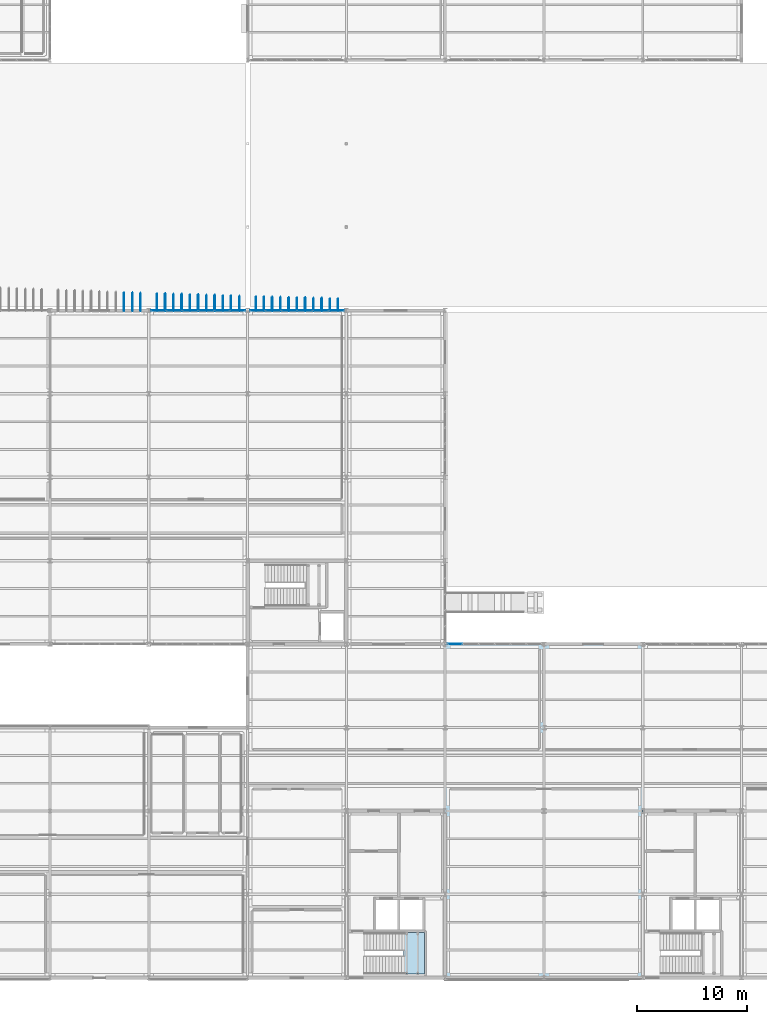
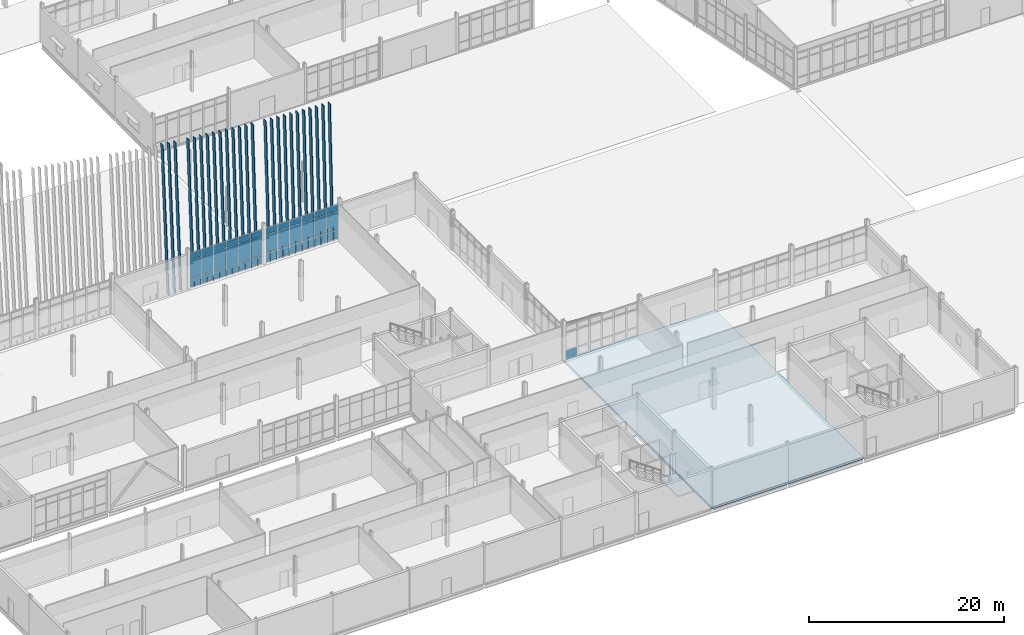
# One storey, part 124 of 161: 62 plates, 2 slabs, 4 elements without a shape of their own.
"""IFC4 building model written with IfcOpenShell, lengths in metres."""

from ifc_helpers import new_model, si_unit, direction, frame, origin, origin_2d, place, context, subcontext, project, spatial, polyline, rectangle, outline, extrude, material, layer, layer_set, type_object, element, aggregate, save


model = new_model("IFC4")

# Units and contexts
model_context = context("Model", 3, precision=1e-05, world=origin(), true_north=direction((0.0, 1.0)))
body_context = subcontext(model_context, "Body", "Model", "MODEL_VIEW")
ifc_project = project(units=[si_unit("LENGTHUNIT", "METRE"), si_unit("AREAUNIT", "SQUARE_METRE"), si_unit("VOLUMEUNIT", "CUBIC_METRE"), si_unit("PLANEANGLEUNIT", "RADIAN"), si_unit("MASSUNIT", "GRAM", prefix="KILO")], contexts=[model_context])

# Site, building, storey
site_placement = place(None, origin())
site = spatial("IfcSite", under=ifc_project, at=site_placement, CompositionType="ELEMENT")
building_placement = place(site_placement, origin())
building = spatial("IfcBuilding", under=site, at=building_placement, Name="Caisbarro Railhouse Central Library", CompositionType="ELEMENT")
storey_placement = place(building_placement, origin())
storey = spatial("IfcBuildingStorey", under=building, at=storey_placement, Name="L00", CompositionType="ELEMENT", Elevation=0.0)

# Curtain wall, plates
ifc_material_1 = material(Name="Anodised architectural aluminium", Category="aluminium")
curtain_wall_type_1 = type_object("IfcCurtainWallType", Name="CW-CW01", PredefinedType="NOTDEFINED", material=ifc_material_1)
curtain_wall_1_placement = place(storey_placement, origin())
curtain_wall_1 = element("IfcCurtainWall", 1, at=curtain_wall_1_placement, inside=storey, type_object=curtain_wall_type_1, Name="CW01 curtain wall L00 #17", PredefinedType="NOTDEFINED")
ifc_material_2 = material(Name="Double low-e laminated solar-control glass", Category="glass")
ifc_layer_1 = layer(ifc_material_2, 0.01806640625, Name="Double low-e laminated solar-control glass")
ifc_layer_set_1 = layer_set([ifc_layer_1], Name="Double low-e laminated solar-control glass")
plate_type_1 = type_object("IfcPlateType", Name="CWP-CP18", PredefinedType="CURTAIN_PANEL", material=ifc_layer_set_1)
plate_1_placement = place(storey_placement, frame((54.902099609375, 60.800048828125, 0.0751953125), z_axis=(0.0, 0.0, 1.0), x_axis=(1.0, 0.0, 0.0)))
plate_1 = element("IfcPlate", 2, at=plate_1_placement, type_object=plate_type_1, Name="CW01 panel 1.1", PredefinedType="CURTAIN_PANEL", context=body_context, shape_type="SweptSolid", body=[
    extrude(rectangle(XDim=1.334228515625, YDim=0.01806640625, at=origin_2d()), origin(), (0.0, 0.0, 1.0), 1.007568359375),
])
plate_2_placement = place(storey_placement, frame((54.902099609375, 60.800048828125, 1.15771484375), z_axis=(0.0, 0.0, 1.0), x_axis=(1.0, 0.0, 0.0)))
plate_2 = element("IfcPlate", 3, at=plate_2_placement, type_object=plate_type_1, Name="CW01 panel 1.2", PredefinedType="CURTAIN_PANEL", context=body_context, shape_type="SweptSolid", body=[
    extrude(rectangle(XDim=1.334228515625, YDim=0.01806640625, at=origin_2d()), origin(), (0.0, 0.0, 1.0), 2.304931640625),
])
plate_3_placement = place(storey_placement, frame((54.902099609375, 60.800048828125, 3.53759765625), z_axis=(0.0, 0.0, 1.0), x_axis=(1.0, 0.0, 0.0)))
plate_3 = element("IfcPlate", 4, at=plate_3_placement, type_object=plate_type_1, Name="CW01 panel 1.3", PredefinedType="CURTAIN_PANEL", context=body_context, shape_type="SweptSolid", body=[
    extrude(rectangle(XDim=1.334228515625, YDim=0.01806640625, at=origin_2d()), origin(), (0.0, 0.0, 1.0), 0.737548828125),
])
plate_4_placement = place(storey_placement, frame((56.330078125, 60.800048828125, 0.0751953125), z_axis=(0.0, 0.0, 1.0), x_axis=(1.0, 0.0, 0.0)))
plate_4 = element("IfcPlate", 5, at=plate_4_placement, type_object=plate_type_1, Name="CW01 panel 2.1", PredefinedType="CURTAIN_PANEL", context=body_context, shape_type="SweptSolid", body=[
    extrude(rectangle(XDim=1.37158203125, YDim=0.01806640625, at=origin_2d()), origin(), (0.0, 0.0, 1.0), 1.007568359375),
])
plate_5_placement = place(storey_placement, frame((56.330078125, 60.800048828125, 1.15771484375), z_axis=(0.0, 0.0, 1.0), x_axis=(1.0, 0.0, 0.0)))
plate_5 = element("IfcPlate", 6, at=plate_5_placement, type_object=plate_type_1, Name="CW01 panel 2.2", PredefinedType="CURTAIN_PANEL", context=body_context, shape_type="SweptSolid", body=[
    extrude(rectangle(XDim=1.37158203125, YDim=0.01806640625, at=origin_2d()), origin(), (0.0, 0.0, 1.0), 2.304931640625),
])
plate_6_placement = place(storey_placement, frame((56.330078125, 60.800048828125, 3.53759765625), z_axis=(0.0, 0.0, 1.0), x_axis=(1.0, 0.0, 0.0)))
plate_6 = element("IfcPlate", 7, at=plate_6_placement, type_object=plate_type_1, Name="CW01 panel 2.3", PredefinedType="CURTAIN_PANEL", context=body_context, shape_type="SweptSolid", body=[
    extrude(rectangle(XDim=1.37158203125, YDim=0.01806640625, at=origin_2d()), origin(), (0.0, 0.0, 1.0), 0.737548828125),
])
plate_7_placement = place(storey_placement, frame((57.776611328125, 60.800048828125, 0.0751953125), z_axis=(0.0, 0.0, 1.0), x_axis=(1.0, 0.0, 0.0)))
plate_7 = element("IfcPlate", 8, at=plate_7_placement, type_object=plate_type_1, Name="CW01 panel 3.1", PredefinedType="CURTAIN_PANEL", context=body_context, shape_type="SweptSolid", body=[
    extrude(rectangle(XDim=1.37158203125, YDim=0.01806640625, at=origin_2d()), origin(), (0.0, 0.0, 1.0), 1.007568359375),
])
plate_8_placement = place(storey_placement, frame((57.776611328125, 60.800048828125, 1.15771484375), z_axis=(0.0, 0.0, 1.0), x_axis=(1.0, 0.0, 0.0)))
plate_8 = element("IfcPlate", 9, at=plate_8_placement, type_object=plate_type_1, Name="CW01 panel 3.2", PredefinedType="CURTAIN_PANEL", context=body_context, shape_type="SweptSolid", body=[
    extrude(rectangle(XDim=1.37158203125, YDim=0.01806640625, at=origin_2d()), origin(), (0.0, 0.0, 1.0), 2.304931640625),
])
plate_9_placement = place(storey_placement, frame((57.776611328125, 60.800048828125, 3.53759765625), z_axis=(0.0, 0.0, 1.0), x_axis=(1.0, 0.0, 0.0)))
plate_9 = element("IfcPlate", 10, at=plate_9_placement, type_object=plate_type_1, Name="CW01 panel 3.3", PredefinedType="CURTAIN_PANEL", context=body_context, shape_type="SweptSolid", body=[
    extrude(rectangle(XDim=1.37158203125, YDim=0.01806640625, at=origin_2d()), origin(), (0.0, 0.0, 1.0), 0.737548828125),
])
plate_10_placement = place(storey_placement, frame((59.223388671875, 60.800048828125, 0.0751953125), z_axis=(0.0, 0.0, 1.0), x_axis=(1.0, 0.0, 0.0)))
plate_10 = element("IfcPlate", 11, at=plate_10_placement, type_object=plate_type_1, Name="CW01 panel 4.1", PredefinedType="CURTAIN_PANEL", context=body_context, shape_type="SweptSolid", body=[
    extrude(rectangle(XDim=1.37158203125, YDim=0.01806640625, at=origin_2d()), origin(), (0.0, 0.0, 1.0), 1.007568359375),
])
plate_11_placement = place(storey_placement, frame((59.223388671875, 60.800048828125, 1.15771484375), z_axis=(0.0, 0.0, 1.0), x_axis=(1.0, 0.0, 0.0)))
plate_11 = element("IfcPlate", 12, at=plate_11_placement, type_object=plate_type_1, Name="CW01 panel 4.2", PredefinedType="CURTAIN_PANEL", context=body_context, shape_type="SweptSolid", body=[
    extrude(rectangle(XDim=1.37158203125, YDim=0.01806640625, at=origin_2d()), origin(), (0.0, 0.0, 1.0), 2.304931640625),
])
plate_12_placement = place(storey_placement, frame((59.223388671875, 60.800048828125, 3.53759765625), z_axis=(0.0, 0.0, 1.0), x_axis=(1.0, 0.0, 0.0)))
plate_12 = element("IfcPlate", 13, at=plate_12_placement, type_object=plate_type_1, Name="CW01 panel 4.3", PredefinedType="CURTAIN_PANEL", context=body_context, shape_type="SweptSolid", body=[
    extrude(rectangle(XDim=1.37158203125, YDim=0.01806640625, at=origin_2d()), origin(), (0.0, 0.0, 1.0), 0.737548828125),
])
plate_13_placement = place(storey_placement, frame((60.669921875, 60.800048828125, 0.0751953125), z_axis=(0.0, 0.0, 1.0), x_axis=(1.0, 0.0, 0.0)))
plate_13 = element("IfcPlate", 14, at=plate_13_placement, type_object=plate_type_1, Name="CW01 panel 5.1", PredefinedType="CURTAIN_PANEL", context=body_context, shape_type="SweptSolid", body=[
    extrude(rectangle(XDim=1.37158203125, YDim=0.01806640625, at=origin_2d()), origin(), (0.0, 0.0, 1.0), 1.007568359375),
])
plate_14_placement = place(storey_placement, frame((60.669921875, 60.800048828125, 1.15771484375), z_axis=(0.0, 0.0, 1.0), x_axis=(1.0, 0.0, 0.0)))
plate_14 = element("IfcPlate", 15, at=plate_14_placement, type_object=plate_type_1, Name="CW01 panel 5.2", PredefinedType="CURTAIN_PANEL", context=body_context, shape_type="SweptSolid", body=[
    extrude(rectangle(XDim=1.37158203125, YDim=0.01806640625, at=origin_2d()), origin(), (0.0, 0.0, 1.0), 2.304931640625),
])
plate_15_placement = place(storey_placement, frame((60.669921875, 60.800048828125, 3.53759765625), z_axis=(0.0, 0.0, 1.0), x_axis=(1.0, 0.0, 0.0)))
plate_15 = element("IfcPlate", 16, at=plate_15_placement, type_object=plate_type_1, Name="CW01 panel 5.3", PredefinedType="CURTAIN_PANEL", context=body_context, shape_type="SweptSolid", body=[
    extrude(rectangle(XDim=1.37158203125, YDim=0.01806640625, at=origin_2d()), origin(), (0.0, 0.0, 1.0), 0.737548828125),
])
plate_16_placement = place(storey_placement, frame((62.097900390625, 60.800048828125, 0.0751953125), z_axis=(0.0, 0.0, 1.0), x_axis=(1.0, 0.0, 0.0)))
plate_16 = element("IfcPlate", 17, at=plate_16_placement, type_object=plate_type_1, Name="CW01 panel 6.1", PredefinedType="CURTAIN_PANEL", context=body_context, shape_type="SweptSolid", body=[
    extrude(rectangle(XDim=1.334228515625, YDim=0.01806640625, at=origin_2d()), origin(), (0.0, 0.0, 1.0), 1.007568359375),
])
plate_17_placement = place(storey_placement, frame((62.097900390625, 60.800048828125, 1.15771484375), z_axis=(0.0, 0.0, 1.0), x_axis=(1.0, 0.0, 0.0)))
plate_17 = element("IfcPlate", 18, at=plate_17_placement, type_object=plate_type_1, Name="CW01 panel 6.2", PredefinedType="CURTAIN_PANEL", context=body_context, shape_type="SweptSolid", body=[
    extrude(rectangle(XDim=1.334228515625, YDim=0.01806640625, at=origin_2d()), origin(), (0.0, 0.0, 1.0), 2.304931640625),
])
plate_18_placement = place(storey_placement, frame((62.097900390625, 60.800048828125, 3.53759765625), z_axis=(0.0, 0.0, 1.0), x_axis=(1.0, 0.0, 0.0)))
plate_18 = element("IfcPlate", 19, at=plate_18_placement, type_object=plate_type_1, Name="CW01 panel 6.3", PredefinedType="CURTAIN_PANEL", context=body_context, shape_type="SweptSolid", body=[
    extrude(rectangle(XDim=1.334228515625, YDim=0.01806640625, at=origin_2d()), origin(), (0.0, 0.0, 1.0), 0.737548828125),
])
aggregate(curtain_wall_1, [plate_1, plate_2, plate_3, plate_4, plate_5, plate_6, plate_7, plate_8, plate_9, plate_10, plate_11, plate_12, plate_13, plate_14, plate_15, plate_16, plate_17, plate_18])

# Curtain wall, plate
curtain_wall_type_2 = type_object("IfcCurtainWallType", Name="CW-CW02", PredefinedType="NOTDEFINED", material=ifc_material_1)
curtain_wall_2_placement = place(storey_placement, origin())
curtain_wall_2 = element("IfcCurtainWall", 20, at=curtain_wall_2_placement, inside=storey, type_object=curtain_wall_type_2, Name="CW02 curtain wall L00 #51", PredefinedType="NOTDEFINED")
ifc_layer_2 = layer(ifc_material_2, 0.0380859375, Name="Double low-e laminated solar-control glass")
ifc_layer_set_2 = layer_set([ifc_layer_2], Name="Double low-e laminated solar-control glass")
plate_type_2 = type_object("IfcPlateType", Name="CWP-CP38", PredefinedType="CURTAIN_PANEL", material=ifc_layer_set_2)
plate_19_placement = place(storey_placement, frame((72.902099609375, 30.39990234375, 0.0751953125), z_axis=(0.0, 0.0, 1.0), x_axis=(1.0, 0.0, 0.0)))
plate_19 = element("IfcPlate", 21, at=plate_19_placement, type_object=plate_type_2, Name="CW02 panel 1.1", PredefinedType="CURTAIN_PANEL", context=body_context, shape_type="SweptSolid", body=[
    extrude(rectangle(XDim=1.334228515625, YDim=0.0380859375, at=origin_2d()), origin(), (0.0, 0.0, 1.0), 1.007568359375),
])
aggregate(curtain_wall_2, [plate_19])

# Curtain wall, plates
curtain_wall_3_placement = place(storey_placement, origin())
curtain_wall_3 = element("IfcCurtainWall", 22, at=curtain_wall_3_placement, inside=storey, type_object=curtain_wall_type_1, Name="CW01 curtain wall L00 #14", PredefinedType="NOTDEFINED")
ifc_layer_3 = layer(ifc_material_2, 0.068115234375, Name="Double low-e laminated solar-control glass")
ifc_layer_set_3 = layer_set([ifc_layer_3], Name="Double low-e laminated solar-control glass")
plate_type_3 = type_object("IfcPlateType", Name="CWP-CP68", PredefinedType="CURTAIN_PANEL", material=ifc_layer_set_3)
plate_20_placement = place(storey_placement, frame((45.902099609375, 60.800048828125, 0.0751953125), z_axis=(0.0, 0.0, 1.0), x_axis=(1.0, 0.0, 0.0)))
plate_20 = element("IfcPlate", 23, at=plate_20_placement, type_object=plate_type_3, Name="CW01 panel 1.1", PredefinedType="CURTAIN_PANEL", context=body_context, shape_type="SweptSolid", body=[
    extrude(rectangle(XDim=1.334228515625, YDim=0.068115234375, at=origin_2d()), origin(), (0.0, 0.0, 1.0), 1.007568359375),
])
plate_21_placement = place(storey_placement, frame((45.902099609375, 60.800048828125, 1.15771484375), z_axis=(0.0, 0.0, 1.0), x_axis=(1.0, 0.0, 0.0)))
plate_21 = element("IfcPlate", 24, at=plate_21_placement, type_object=plate_type_3, Name="CW01 panel 1.2", PredefinedType="CURTAIN_PANEL", context=body_context, shape_type="SweptSolid", body=[
    extrude(rectangle(XDim=1.334228515625, YDim=0.068115234375, at=origin_2d()), origin(), (0.0, 0.0, 1.0), 2.304931640625),
])
plate_22_placement = place(storey_placement, frame((45.902099609375, 60.800048828125, 3.53759765625), z_axis=(0.0, 0.0, 1.0), x_axis=(1.0, 0.0, 0.0)))
plate_22 = element("IfcPlate", 25, at=plate_22_placement, type_object=plate_type_3, Name="CW01 panel 1.3", PredefinedType="CURTAIN_PANEL", context=body_context, shape_type="SweptSolid", body=[
    extrude(rectangle(XDim=1.334228515625, YDim=0.068115234375, at=origin_2d()), origin(), (0.0, 0.0, 1.0), 0.737548828125),
])
plate_23_placement = place(storey_placement, frame((47.330078125, 60.800048828125, 0.0751953125), z_axis=(0.0, 0.0, 1.0), x_axis=(1.0, 0.0, 0.0)))
plate_23 = element("IfcPlate", 26, at=plate_23_placement, type_object=plate_type_3, Name="CW01 panel 2.1", PredefinedType="CURTAIN_PANEL", context=body_context, shape_type="SweptSolid", body=[
    extrude(rectangle(XDim=1.37158203125, YDim=0.068115234375, at=origin_2d()), origin(), (0.0, 0.0, 1.0), 1.007568359375),
])
plate_24_placement = place(storey_placement, frame((47.330078125, 60.800048828125, 1.15771484375), z_axis=(0.0, 0.0, 1.0), x_axis=(1.0, 0.0, 0.0)))
plate_24 = element("IfcPlate", 27, at=plate_24_placement, type_object=plate_type_3, Name="CW01 panel 2.2", PredefinedType="CURTAIN_PANEL", context=body_context, shape_type="SweptSolid", body=[
    extrude(rectangle(XDim=1.37158203125, YDim=0.068115234375, at=origin_2d()), origin(), (0.0, 0.0, 1.0), 2.304931640625),
])
plate_25_placement = place(storey_placement, frame((47.330078125, 60.800048828125, 3.53759765625), z_axis=(0.0, 0.0, 1.0), x_axis=(1.0, 0.0, 0.0)))
plate_25 = element("IfcPlate", 28, at=plate_25_placement, type_object=plate_type_3, Name="CW01 panel 2.3", PredefinedType="CURTAIN_PANEL", context=body_context, shape_type="SweptSolid", body=[
    extrude(rectangle(XDim=1.37158203125, YDim=0.068115234375, at=origin_2d()), origin(), (0.0, 0.0, 1.0), 0.737548828125),
])
plate_26_placement = place(storey_placement, frame((48.776611328125, 60.800048828125, 0.0751953125), z_axis=(0.0, 0.0, 1.0), x_axis=(1.0, 0.0, 0.0)))
plate_26 = element("IfcPlate", 29, at=plate_26_placement, type_object=plate_type_3, Name="CW01 panel 3.1", PredefinedType="CURTAIN_PANEL", context=body_context, shape_type="SweptSolid", body=[
    extrude(rectangle(XDim=1.37158203125, YDim=0.068115234375, at=origin_2d()), origin(), (0.0, 0.0, 1.0), 1.007568359375),
])
plate_27_placement = place(storey_placement, frame((48.776611328125, 60.800048828125, 1.15771484375), z_axis=(0.0, 0.0, 1.0), x_axis=(1.0, 0.0, 0.0)))
plate_27 = element("IfcPlate", 30, at=plate_27_placement, type_object=plate_type_3, Name="CW01 panel 3.2", PredefinedType="CURTAIN_PANEL", context=body_context, shape_type="SweptSolid", body=[
    extrude(rectangle(XDim=1.37158203125, YDim=0.068115234375, at=origin_2d()), origin(), (0.0, 0.0, 1.0), 2.304931640625),
])
plate_28_placement = place(storey_placement, frame((48.776611328125, 60.800048828125, 3.53759765625), z_axis=(0.0, 0.0, 1.0), x_axis=(1.0, 0.0, 0.0)))
plate_28 = element("IfcPlate", 31, at=plate_28_placement, type_object=plate_type_3, Name="CW01 panel 3.3", PredefinedType="CURTAIN_PANEL", context=body_context, shape_type="SweptSolid", body=[
    extrude(rectangle(XDim=1.37158203125, YDim=0.068115234375, at=origin_2d()), origin(), (0.0, 0.0, 1.0), 0.737548828125),
])
plate_29_placement = place(storey_placement, frame((50.223388671875, 60.800048828125, 0.0751953125), z_axis=(0.0, 0.0, 1.0), x_axis=(1.0, 0.0, 0.0)))
plate_29 = element("IfcPlate", 32, at=plate_29_placement, type_object=plate_type_3, Name="CW01 panel 4.1", PredefinedType="CURTAIN_PANEL", context=body_context, shape_type="SweptSolid", body=[
    extrude(rectangle(XDim=1.37158203125, YDim=0.068115234375, at=origin_2d()), origin(), (0.0, 0.0, 1.0), 1.007568359375),
])
plate_30_placement = place(storey_placement, frame((50.223388671875, 60.800048828125, 1.15771484375), z_axis=(0.0, 0.0, 1.0), x_axis=(1.0, 0.0, 0.0)))
plate_30 = element("IfcPlate", 33, at=plate_30_placement, type_object=plate_type_3, Name="CW01 panel 4.2", PredefinedType="CURTAIN_PANEL", context=body_context, shape_type="SweptSolid", body=[
    extrude(rectangle(XDim=1.37158203125, YDim=0.068115234375, at=origin_2d()), origin(), (0.0, 0.0, 1.0), 2.304931640625),
])
plate_31_placement = place(storey_placement, frame((50.223388671875, 60.800048828125, 3.53759765625), z_axis=(0.0, 0.0, 1.0), x_axis=(1.0, 0.0, 0.0)))
plate_31 = element("IfcPlate", 34, at=plate_31_placement, type_object=plate_type_3, Name="CW01 panel 4.3", PredefinedType="CURTAIN_PANEL", context=body_context, shape_type="SweptSolid", body=[
    extrude(rectangle(XDim=1.37158203125, YDim=0.068115234375, at=origin_2d()), origin(), (0.0, 0.0, 1.0), 0.737548828125),
])
plate_32_placement = place(storey_placement, frame((51.669921875, 60.800048828125, 0.0751953125), z_axis=(0.0, 0.0, 1.0), x_axis=(1.0, 0.0, 0.0)))
plate_32 = element("IfcPlate", 35, at=plate_32_placement, type_object=plate_type_3, Name="CW01 panel 5.1", PredefinedType="CURTAIN_PANEL", context=body_context, shape_type="SweptSolid", body=[
    extrude(rectangle(XDim=1.37158203125, YDim=0.068115234375, at=origin_2d()), origin(), (0.0, 0.0, 1.0), 1.007568359375),
])
plate_33_placement = place(storey_placement, frame((51.669921875, 60.800048828125, 1.15771484375), z_axis=(0.0, 0.0, 1.0), x_axis=(1.0, 0.0, 0.0)))
plate_33 = element("IfcPlate", 36, at=plate_33_placement, type_object=plate_type_3, Name="CW01 panel 5.2", PredefinedType="CURTAIN_PANEL", context=body_context, shape_type="SweptSolid", body=[
    extrude(rectangle(XDim=1.37158203125, YDim=0.068115234375, at=origin_2d()), origin(), (0.0, 0.0, 1.0), 2.304931640625),
])
plate_34_placement = place(storey_placement, frame((51.669921875, 60.800048828125, 3.53759765625), z_axis=(0.0, 0.0, 1.0), x_axis=(1.0, 0.0, 0.0)))
plate_34 = element("IfcPlate", 37, at=plate_34_placement, type_object=plate_type_3, Name="CW01 panel 5.3", PredefinedType="CURTAIN_PANEL", context=body_context, shape_type="SweptSolid", body=[
    extrude(rectangle(XDim=1.37158203125, YDim=0.068115234375, at=origin_2d()), origin(), (0.0, 0.0, 1.0), 0.737548828125),
])
plate_35_placement = place(storey_placement, frame((53.097900390625, 60.800048828125, 0.0751953125), z_axis=(0.0, 0.0, 1.0), x_axis=(1.0, 0.0, 0.0)))
plate_35 = element("IfcPlate", 38, at=plate_35_placement, type_object=plate_type_3, Name="CW01 panel 6.1", PredefinedType="CURTAIN_PANEL", context=body_context, shape_type="SweptSolid", body=[
    extrude(rectangle(XDim=1.334228515625, YDim=0.068115234375, at=origin_2d()), origin(), (0.0, 0.0, 1.0), 1.007568359375),
])
plate_36_placement = place(storey_placement, frame((53.097900390625, 60.800048828125, 1.15771484375), z_axis=(0.0, 0.0, 1.0), x_axis=(1.0, 0.0, 0.0)))
plate_36 = element("IfcPlate", 39, at=plate_36_placement, type_object=plate_type_3, Name="CW01 panel 6.2", PredefinedType="CURTAIN_PANEL", context=body_context, shape_type="SweptSolid", body=[
    extrude(rectangle(XDim=1.334228515625, YDim=0.068115234375, at=origin_2d()), origin(), (0.0, 0.0, 1.0), 2.304931640625),
])
plate_37_placement = place(storey_placement, frame((53.097900390625, 60.800048828125, 3.53759765625), z_axis=(0.0, 0.0, 1.0), x_axis=(1.0, 0.0, 0.0)))
plate_37 = element("IfcPlate", 40, at=plate_37_placement, type_object=plate_type_3, Name="CW01 panel 6.3", PredefinedType="CURTAIN_PANEL", context=body_context, shape_type="SweptSolid", body=[
    extrude(rectangle(XDim=1.334228515625, YDim=0.068115234375, at=origin_2d()), origin(), (0.0, 0.0, 1.0), 0.737548828125),
])
aggregate(curtain_wall_3, [plate_20, plate_21, plate_22, plate_23, plate_24, plate_25, plate_26, plate_27, plate_28, plate_29, plate_30, plate_31, plate_32, plate_33, plate_34, plate_35, plate_36, plate_37])

# Plates
ifc_material_3 = material(Name="White powder-coated aluminium", Category="aluminium")
ifc_layer_4 = layer(ifc_material_3, 0.06005859375, Name="White powder-coated aluminium")
ifc_layer_set_4 = layer_set([ifc_layer_4], Name="White powder-coated aluminium")
plate_type_4 = type_object("IfcPlateType", Name="PLT-FIN01", PredefinedType="USERDEFINED", material=ifc_layer_set_4)
plate_38_placement = place(storey_placement, frame((42.75, 60.97998046875, -0.080078125), z_axis=(0.0, 0.068015290665, 0.997684278836), x_axis=(1.0, 0.0, 0.0)))
element("IfcPlate", 41, at=plate_38_placement, inside=storey, type_object=plate_type_4, Name="FN01 Outward-Leaning White Fin 53", ObjectType="SOLAR FIN", PredefinedType="USERDEFINED", context=body_context, shape_type="SweptSolid", body=[
    extrude(rectangle(XDim=0.06005859375, YDim=0.52001953125, at=origin_2d()), origin(), (0.0, 0.0, 1.0), 18.14404296875),
])
plate_39_placement = place(storey_placement, frame((43.5, 60.97998046875, -0.079833984375), z_axis=(0.0, 0.066970481029, 0.997754957227), x_axis=(1.0, 0.0, 0.0)))
element("IfcPlate", 42, at=plate_39_placement, inside=storey, type_object=plate_type_4, Name="FN01 Outward-Leaning White Fin 54", ObjectType="SOLAR FIN", PredefinedType="USERDEFINED", context=body_context, shape_type="SweptSolid", body=[
    extrude(rectangle(XDim=0.06005859375, YDim=0.52001953125, at=origin_2d()), origin(), (0.0, 0.0, 1.0), 18.066162109375),
])
plate_40_placement = place(storey_placement, frame((44.25, 60.97998046875, -0.079833984375), z_axis=(0.0, 0.065925597951, 0.997824541457), x_axis=(1.0, 0.0, 0.0)))
element("IfcPlate", 43, at=plate_40_placement, inside=storey, type_object=plate_type_4, Name="FN01 Outward-Leaning White Fin 55", ObjectType="SOLAR FIN", PredefinedType="USERDEFINED", context=body_context, shape_type="SweptSolid", body=[
    extrude(rectangle(XDim=0.06005859375, YDim=0.52001953125, at=origin_2d()), origin(), (0.0, 0.0, 1.0), 17.988525390625),
])
plate_41_placement = place(storey_placement, frame((45.75, 60.97998046875, -0.080078125), z_axis=(0.0, 0.063661438132, 0.99797155335), x_axis=(1.0, 0.0, 0.0)))
element("IfcPlate", 44, at=plate_41_placement, inside=storey, type_object=plate_type_4, Name="FN01 Outward-Leaning White Fin 56", ObjectType="SOLAR FIN", PredefinedType="USERDEFINED", context=body_context, shape_type="SweptSolid", body=[
    extrude(rectangle(XDim=0.06005859375, YDim=0.52001953125, at=origin_2d()), origin(), (0.0, 0.0, 1.0), 17.845703125),
])
plate_42_placement = place(storey_placement, frame((46.5, 60.97998046875, -0.080078125), z_axis=(0.0, 0.06261633005, 0.99803767224), x_axis=(1.0, 0.0, 0.0)))
element("IfcPlate", 45, at=plate_42_placement, inside=storey, type_object=plate_type_4, Name="FN01 Outward-Leaning White Fin 57", ObjectType="SOLAR FIN", PredefinedType="USERDEFINED", context=body_context, shape_type="SweptSolid", body=[
    extrude(rectangle(XDim=0.06005859375, YDim=0.52001953125, at=origin_2d()), origin(), (0.0, 0.0, 1.0), 17.7802734375),
])
plate_43_placement = place(storey_placement, frame((47.25, 60.97998046875, -0.080078125), z_axis=(0.0, 0.061571153301, 0.998102696661), x_axis=(1.0, 0.0, 0.0)))
element("IfcPlate", 46, at=plate_43_placement, inside=storey, type_object=plate_type_4, Name="FN01 Outward-Leaning White Fin 58", ObjectType="SOLAR FIN", PredefinedType="USERDEFINED", context=body_context, shape_type="SweptSolid", body=[
    extrude(rectangle(XDim=0.06005859375, YDim=0.52001953125, at=origin_2d()), origin(), (0.0, 0.0, 1.0), 17.71484375),
])
plate_44_placement = place(storey_placement, frame((48.0, 60.97998046875, -0.079833984375), z_axis=(0.0, 0.06035169517, 0.9981771751), x_axis=(1.0, 0.0, 0.0)))
element("IfcPlate", 47, at=plate_44_placement, inside=storey, type_object=plate_type_4, Name="FN01 Outward-Leaning White Fin 59", ObjectType="SOLAR FIN", PredefinedType="USERDEFINED", context=body_context, shape_type="SweptSolid", body=[
    extrude(rectangle(XDim=0.06005859375, YDim=0.52001953125, at=origin_2d()), origin(), (0.0, 0.0, 1.0), 17.64990234375),
])
plate_45_placement = place(storey_placement, frame((48.75, 60.97998046875, -0.080078125), z_axis=(0.0, 0.059306373576, 0.998239827924), x_axis=(1.0, 0.0, 0.0)))
element("IfcPlate", 48, at=plate_45_placement, inside=storey, type_object=plate_type_4, Name="FN01 Outward-Leaning White Fin 60", ObjectType="SOLAR FIN", PredefinedType="USERDEFINED", context=body_context, shape_type="SweptSolid", body=[
    extrude(rectangle(XDim=0.06005859375, YDim=0.52001953125, at=origin_2d()), origin(), (0.0, 0.0, 1.0), 17.58447265625),
])
plate_46_placement = place(storey_placement, frame((49.5, 60.97998046875, -0.080078125), z_axis=(0.0, 0.058260986945, 0.998301386055), x_axis=(1.0, 0.0, 0.0)))
element("IfcPlate", 49, at=plate_46_placement, inside=storey, type_object=plate_type_4, Name="FN01 Outward-Leaning White Fin 61", ObjectType="SOLAR FIN", PredefinedType="USERDEFINED", context=body_context, shape_type="SweptSolid", body=[
    extrude(rectangle(XDim=0.06005859375, YDim=0.52001953125, at=origin_2d()), origin(), (0.0, 0.0, 1.0), 17.51904296875),
])
plate_47_placement = place(storey_placement, frame((50.25, 60.97998046875, -0.080078125), z_axis=(0.0, 0.05704128854, 0.998371820216), x_axis=(1.0, 0.0, 0.0)))
element("IfcPlate", 50, at=plate_47_placement, inside=storey, type_object=plate_type_4, Name="FN01 Outward-Leaning White Fin 62", ObjectType="SOLAR FIN", PredefinedType="USERDEFINED", context=body_context, shape_type="SweptSolid", body=[
    extrude(rectangle(XDim=0.06005859375, YDim=0.52001953125, at=origin_2d()), origin(), (0.0, 0.0, 1.0), 17.46630859375),
])
plate_48_placement = place(storey_placement, frame((51.0, 60.97998046875, -0.080078125), z_axis=(0.0, 0.055995764929, 0.998431006284), x_axis=(1.0, 0.0, 0.0)))
element("IfcPlate", 51, at=plate_48_placement, inside=storey, type_object=plate_type_4, Name="FN01 Outward-Leaning White Fin 63", ObjectType="SOLAR FIN", PredefinedType="USERDEFINED", context=body_context, shape_type="SweptSolid", body=[
    extrude(rectangle(XDim=0.06005859375, YDim=0.52001953125, at=origin_2d()), origin(), (0.0, 0.0, 1.0), 17.413330078125),
])
plate_49_placement = place(storey_placement, frame((51.75, 60.97998046875, -0.079833984375), z_axis=(0.0, 0.054950179912, 0.998489097451), x_axis=(1.0, 0.0, 0.0)))
element("IfcPlate", 52, at=plate_49_placement, inside=storey, type_object=plate_type_4, Name="FN01 Outward-Leaning White Fin 64", ObjectType="SOLAR FIN", PredefinedType="USERDEFINED", context=body_context, shape_type="SweptSolid", body=[
    extrude(rectangle(XDim=0.06005859375, YDim=0.52001953125, at=origin_2d()), origin(), (0.0, 0.0, 1.0), 17.3603515625),
])
plate_50_placement = place(storey_placement, frame((52.5, 60.97998046875, -0.080078125), z_axis=(0.0, 0.053730254645, 0.998555486558), x_axis=(1.0, 0.0, 0.0)))
element("IfcPlate", 53, at=plate_50_placement, inside=storey, type_object=plate_type_4, Name="FN01 Outward-Leaning White Fin 65", ObjectType="SOLAR FIN", PredefinedType="USERDEFINED", context=body_context, shape_type="SweptSolid", body=[
    extrude(rectangle(XDim=0.06005859375, YDim=0.52001953125, at=origin_2d()), origin(), (0.0, 0.0, 1.0), 17.307861328125),
])
plate_51_placement = place(storey_placement, frame((53.25, 60.97998046875, -0.080078125), z_axis=(0.0, 0.052684540515, 0.99861120522), x_axis=(1.0, 0.0, 0.0)))
element("IfcPlate", 54, at=plate_51_placement, inside=storey, type_object=plate_type_4, Name="FN01 Outward-Leaning White Fin 66", ObjectType="SOLAR FIN", PredefinedType="USERDEFINED", context=body_context, shape_type="SweptSolid", body=[
    extrude(rectangle(XDim=0.06005859375, YDim=0.52001953125, at=origin_2d()), origin(), (0.0, 0.0, 1.0), 17.2548828125),
])
plate_52_placement = place(storey_placement, frame((54.75, 60.97998046875, -0.079833984375), z_axis=(0.0, 0.050418629896, 0.998728172107), x_axis=(1.0, 0.0, 0.0)))
element("IfcPlate", 55, at=plate_52_placement, inside=storey, type_object=plate_type_4, Name="FN01 Outward-Leaning White Fin 67", ObjectType="SOLAR FIN", PredefinedType="USERDEFINED", context=body_context, shape_type="SweptSolid", body=[
    extrude(rectangle(XDim=0.06005859375, YDim=0.52001953125, at=origin_2d()), origin(), (0.0, 0.0, 1.0), 17.16162109375),
])
plate_53_placement = place(storey_placement, frame((55.5, 60.97998046875, -0.080078125), z_axis=(0.0, 0.049372736746, 0.998780422749), x_axis=(1.0, 0.0, 0.0)))
element("IfcPlate", 56, at=plate_53_placement, inside=storey, type_object=plate_type_4, Name="FN01 Outward-Leaning White Fin 68", ObjectType="SOLAR FIN", PredefinedType="USERDEFINED", context=body_context, shape_type="SweptSolid", body=[
    extrude(rectangle(XDim=0.06005859375, YDim=0.52001953125, at=origin_2d()), origin(), (0.0, 0.0, 1.0), 17.120849609375),
])
plate_54_placement = place(storey_placement, frame((56.25, 60.97998046875, -0.080078125), z_axis=(0.0, 0.048326789453, 0.998831578106), x_axis=(1.0, 0.0, 0.0)))
element("IfcPlate", 57, at=plate_54_placement, inside=storey, type_object=plate_type_4, Name="FN01 Outward-Leaning White Fin 69", ObjectType="SOLAR FIN", PredefinedType="USERDEFINED", context=body_context, shape_type="SweptSolid", body=[
    extrude(rectangle(XDim=0.06005859375, YDim=0.52001953125, at=origin_2d()), origin(), (0.0, 0.0, 1.0), 17.080322265625),
])
plate_55_placement = place(storey_placement, frame((57.0, 60.97998046875, -0.080078125), z_axis=(0.0, 0.04710645071, 0.998889874962), x_axis=(1.0, 0.0, 0.0)))
element("IfcPlate", 58, at=plate_55_placement, inside=storey, type_object=plate_type_4, Name="FN01 Outward-Leaning White Fin 70", ObjectType="SOLAR FIN", PredefinedType="USERDEFINED", context=body_context, shape_type="SweptSolid", body=[
    extrude(rectangle(XDim=0.06005859375, YDim=0.52001953125, at=origin_2d()), origin(), (0.0, 0.0, 1.0), 17.040283203125),
])
plate_56_placement = place(storey_placement, frame((57.75, 60.97998046875, -0.079833984375), z_axis=(0.0, 0.046060390041, 0.99893865701), x_axis=(1.0, 0.0, 0.0)))
element("IfcPlate", 59, at=plate_56_placement, inside=storey, type_object=plate_type_4, Name="FN01 Outward-Leaning White Fin 71", ObjectType="SOLAR FIN", PredefinedType="USERDEFINED", context=body_context, shape_type="SweptSolid", body=[
    extrude(rectangle(XDim=0.06005859375, YDim=0.52001953125, at=origin_2d()), origin(), (0.0, 0.0, 1.0), 16.99951171875),
])
plate_57_placement = place(storey_placement, frame((58.5, 60.97998046875, -0.080078125), z_axis=(0.0, 0.045014278861, 0.9989863436), x_axis=(1.0, 0.0, 0.0)))
element("IfcPlate", 60, at=plate_57_placement, inside=storey, type_object=plate_type_4, Name="FN01 Outward-Leaning White Fin 72", ObjectType="SOLAR FIN", PredefinedType="USERDEFINED", context=body_context, shape_type="SweptSolid", body=[
    extrude(rectangle(XDim=0.06005859375, YDim=0.52001953125, at=origin_2d()), origin(), (0.0, 0.0, 1.0), 16.958984375),
])
plate_58_placement = place(storey_placement, frame((59.25, 60.97998046875, -0.080078125), z_axis=(0.0, 0.043968118318, 0.999032934678), x_axis=(1.0, 0.0, 0.0)))
element("IfcPlate", 61, at=plate_58_placement, inside=storey, type_object=plate_type_4, Name="FN01 Outward-Leaning White Fin 73", ObjectType="SOLAR FIN", PredefinedType="USERDEFINED", context=body_context, shape_type="SweptSolid", body=[
    extrude(rectangle(XDim=0.06005859375, YDim=0.52001953125, at=origin_2d()), origin(), (0.0, 0.0, 1.0), 16.930908203125),
])
plate_59_placement = place(storey_placement, frame((60.0, 60.97998046875, -0.080078125), z_axis=(0.0, 0.042747536824, 0.999085906264), x_axis=(1.0, 0.0, 0.0)))
element("IfcPlate", 62, at=plate_59_placement, inside=storey, type_object=plate_type_4, Name="FN01 Outward-Leaning White Fin 74", ObjectType="SOLAR FIN", PredefinedType="USERDEFINED", context=body_context, shape_type="SweptSolid", body=[
    extrude(rectangle(XDim=0.06005859375, YDim=0.52001953125, at=origin_2d()), origin(), (0.0, 0.0, 1.0), 16.903076171875),
])
plate_60_placement = place(storey_placement, frame((60.75, 60.97998046875, -0.080078125), z_axis=(0.0, 0.041701273262, 0.999130123562), x_axis=(1.0, 0.0, 0.0)))
element("IfcPlate", 63, at=plate_60_placement, inside=storey, type_object=plate_type_4, Name="FN01 Outward-Leaning White Fin 75", ObjectType="SOLAR FIN", PredefinedType="USERDEFINED", context=body_context, shape_type="SweptSolid", body=[
    extrude(rectangle(XDim=0.06005859375, YDim=0.52001953125, at=origin_2d()), origin(), (0.0, 0.0, 1.0), 16.875),
])
plate_61_placement = place(storey_placement, frame((61.5, 60.97998046875, -0.079833984375), z_axis=(0.0, 0.040654963969, 0.999173245191), x_axis=(1.0, 0.0, 0.0)))
element("IfcPlate", 64, at=plate_61_placement, inside=storey, type_object=plate_type_4, Name="FN01 Outward-Leaning White Fin 76", ObjectType="SOLAR FIN", PredefinedType="USERDEFINED", context=body_context, shape_type="SweptSolid", body=[
    extrude(rectangle(XDim=0.06005859375, YDim=0.52001953125, at=origin_2d()), origin(), (0.0, 0.0, 1.0), 16.8466796875),
])
plate_62_placement = place(storey_placement, frame((62.25, 60.97998046875, -0.080078125), z_axis=(0.0, 0.039434213527, 0.999222168891), x_axis=(1.0, 0.0, 0.0)))
element("IfcPlate", 65, at=plate_62_placement, inside=storey, type_object=plate_type_4, Name="FN01 Outward-Leaning White Fin 77", ObjectType="SOLAR FIN", PredefinedType="USERDEFINED", context=body_context, shape_type="SweptSolid", body=[
    extrude(rectangle(XDim=0.06005859375, YDim=0.52001953125, at=origin_2d()), origin(), (0.0, 0.0, 1.0), 16.819091796875),
])

# Slab
ifc_material_4 = material(Name="Concrete C35", Category="concrete")
ifc_layer_5 = layer(ifc_material_4, 0.280029296875, Name="Concrete C35")
ifc_layer_set_5 = layer_set([ifc_layer_5], Name="Concrete C35")
slab_type_1 = type_object("IfcSlabType", Name="SLB-BS28", PredefinedType="BASESLAB", material=ifc_layer_set_5)
slab_1_placement = place(storey_placement, frame((0.0, 0.0, -0.280029296875)))
element("IfcSlab", 66, at=slab_1_placement, inside=storey, type_object=slab_type_1, Name="SB28 structural slab L00 V5.2", PredefinedType="BASESLAB", context=body_context, shape_type="SweptSolid", body=[
    extrude(outline(polyline([(72.0, 0.0), (90.0, 0.0), (90.0, 30.39990234375), (72.0, 30.39990234375), (72.0, 0.0)])), origin(), (0.0, 0.0, 1.0), 0.280029296875),
])

# Stair, slab
stair_type = type_object("IfcStairType", Name="STR-ST50", PredefinedType="HALF_TURN_STAIR", material=ifc_material_4)
stair_placement = place(storey_placement, origin())
stair = element("IfcStair", 67, at=stair_placement, inside=storey, type_object=stair_type, Name="Protected Stair ST-01 (L00)", PredefinedType="HALF_TURN_STAIR")
ifc_layer_6 = layer(ifc_material_4, 0.18994140625, Name="Concrete C35")
ifc_layer_set_6 = layer_set([ifc_layer_6], Name="Concrete C35")
slab_type_2 = type_object("IfcSlabType", Name="SLB-LND19", PredefinedType="LANDING", material=ifc_layer_set_6)
slab_2_placement = place(storey_placement, frame((0.0, 0.0, 2.330078125)))
slab_2 = element("IfcSlab", 68, at=slab_2_placement, type_object=slab_type_2, Name="ST-01 landing 1", PredefinedType="LANDING", context=body_context, shape_type="SweptSolid", body=[
    extrude(outline(polyline([(68.199951171875, 0.340087890625), (70.1201171875, 0.340087890625), (70.1201171875, 4.110107421875), (68.199951171875, 4.110107421875), (68.199951171875, 0.340087890625)])), origin(), (0.0, 0.0, 1.0), 0.18994140625),
])
aggregate(stair, [slab_2])

save(model, "model.ifc")
